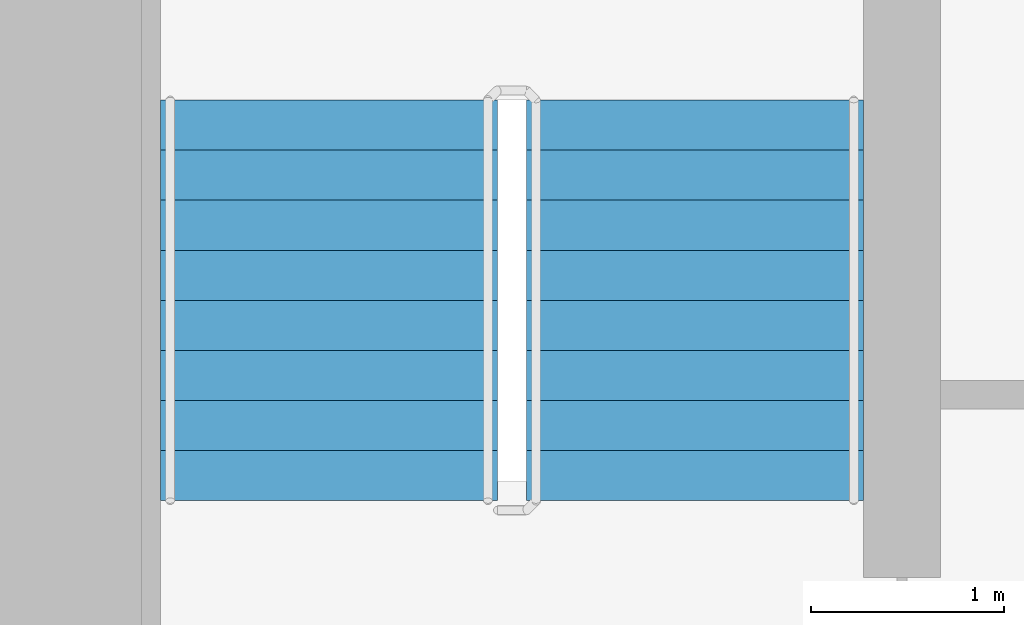
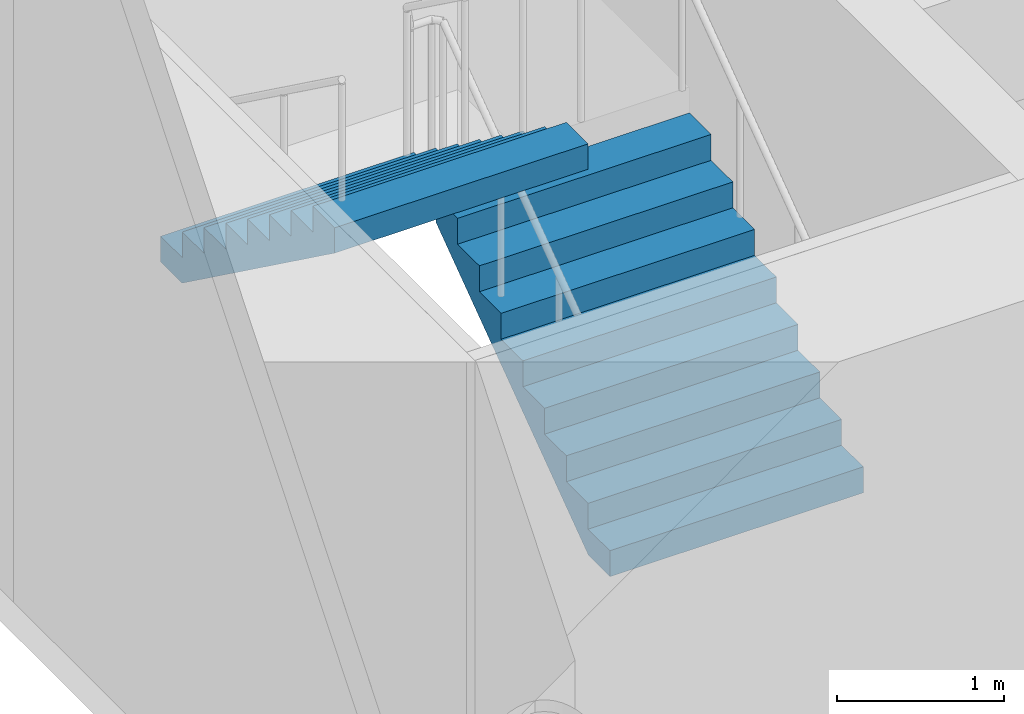
# One storey, part 21 of 24: 2 stair flights, 1 element without a shape of its own.
"""IFC4 building model written with IfcOpenShell, lengths in metres."""

from ifc_helpers import new_model, si_unit, direction, frame, origin, place, context, subcontext, project, spatial, faceted_brep, material, type_object, element, aggregate, save


model = new_model("IFC4")

# Units and contexts
model_context = context("Model", 3, precision=1e-05, world=origin(), true_north=direction((0.0, 1.0)))
body_context = subcontext(model_context, "Body", "Model", "MODEL_VIEW")
ifc_project = project(units=[si_unit("LENGTHUNIT", "METRE"), si_unit("AREAUNIT", "SQUARE_METRE"), si_unit("VOLUMEUNIT", "CUBIC_METRE"), si_unit("PLANEANGLEUNIT", "RADIAN"), si_unit("MASSUNIT", "GRAM", prefix="KILO")], contexts=[model_context])

# Site, building, storey
site_placement = place(None, origin())
site = spatial("IfcSite", under=ifc_project, at=site_placement, CompositionType="ELEMENT")
building_placement = place(site_placement, origin())
building = spatial("IfcBuilding", under=site, at=building_placement, Name="Ipe Terrace Towers", CompositionType="ELEMENT")
storey_placement = place(building_placement, frame((0.0, 0.0, 38.10009765625)))
storey = spatial("IfcBuildingStorey", under=building, at=storey_placement, Name="L09", CompositionType="ELEMENT", Elevation=38.10009765625)

# Stair, stair flights
ifc_material_1 = material(Name="Concrete C30/37", Category="concrete")
stair_type = type_object("IfcStairType", Name="Protected exit stair", PredefinedType="HALF_TURN_STAIR", material=ifc_material_1)
stair_placement = place(storey_placement, origin())
stair = element("IfcStair", 1, at=stair_placement, inside=storey, type_object=stair_type, Name="L09 Exit stair T2-C1", PredefinedType="HALF_TURN_STAIR")
ifc_material_2 = material(Name="Concrete C30/37", Category="concrete")
stair_flight_type = type_object("IfcStairFlightType", Name="Exit stair flight 1750", PredefinedType="STRAIGHT", material=ifc_material_2)
stair_flight_1_placement = place(storey_placement, frame((33.22509765625, 9.699951171875, 0.0), z_axis=(0.0, 0.0, 1.0), x_axis=(0.0, 1.0, 0.0)))
stair_flight_1 = element("IfcStairFlight", 2, at=stair_flight_1_placement, type_object=stair_flight_type, Name="T2-ST1 flight 1", NumberOfRisers=9, NumberOfTreads=8, PredefinedType="STRAIGHT", RiserHeight=0.188888889, TreadLength=0.26, context=body_context, shape_type="Brep", body=[
    faceted_brep([(0.255126953125, -0.875, 0.0), (2.080078125, -0.875, 1.325927734375), (2.080078125, -0.875, 1.51123046875), (1.820068359375, -0.875, 1.51123046875), (1.820068359375, -0.875, 1.322265625), (1.56005859375, -0.875, 1.322265625), (1.56005859375, -0.875, 1.13330078125), (1.300048828125, -0.875, 1.13330078125), (1.300048828125, -0.875, 0.9443359375), (1.0400390625, -0.875, 0.9443359375), (1.0400390625, -0.875, 0.755615234375), (0.780029296875, -0.875, 0.755615234375), (0.780029296875, -0.875, 0.566650390625), (0.52001953125, -0.875, 0.566650390625), (0.52001953125, -0.875, 0.377685546875), (0.260009765625, -0.875, 0.377685546875), (0.260009765625, -0.875, 0.18896484375), (0.0, -0.875, 0.18896484375), (0.0, -0.875, 0.0), (0.0, 0.875, 0.0), (0.0, 0.875, 0.18896484375), (0.260009765625, 0.875, 0.18896484375), (0.260009765625, 0.875, 0.377685546875), (0.52001953125, 0.875, 0.377685546875), (0.52001953125, 0.875, 0.566650390625), (0.780029296875, 0.875, 0.566650390625), (0.780029296875, 0.875, 0.755615234375), (1.0400390625, 0.875, 0.755615234375), (1.0400390625, 0.875, 0.9443359375), (1.300048828125, 0.875, 0.9443359375), (1.300048828125, 0.875, 1.13330078125), (1.56005859375, 0.875, 1.13330078125), (1.56005859375, 0.875, 1.322265625), (1.820068359375, 0.875, 1.322265625), (1.820068359375, 0.875, 1.51123046875), (2.080078125, 0.875, 1.51123046875), (2.080078125, 0.875, 1.325927734375), (0.255126953125, 0.875, 0.0), (0.0, -0.300048828125, 0.18896484375), (0.0, -0.1201171875, 0.18896484375), (0.0, -0.06005859375, 0.18896484375), (0.0, -0.030029296875, 0.18896484375), (0.0, -0.010009765625, 0.18896484375), (0.0, 0.0, 0.18896484375), (0.0, 0.010009765625, 0.18896484375), (0.0, 0.030029296875, 0.18896484375), (0.0, 0.06005859375, 0.18896484375), (0.0, 0.1201171875, 0.18896484375), (0.0, 0.300048828125, 0.18896484375), (0.0, 0.300048828125, 0.0), (0.0, 0.1201171875, 0.0), (0.0, 0.06005859375, 0.0), (0.0, 0.030029296875, 0.0), (0.0, 0.010009765625, 0.0), (0.0, 0.0, 0.0), (0.0, -0.010009765625, 0.0), (0.0, -0.030029296875, 0.0), (0.0, -0.06005859375, 0.0), (0.0, -0.1201171875, 0.0), (0.0, -0.300048828125, 0.0), (0.260009765625, -0.300048828125, 0.18896484375), (0.260009765625, -0.1201171875, 0.18896484375), (0.260009765625, -0.06005859375, 0.18896484375), (0.260009765625, -0.030029296875, 0.18896484375), (0.260009765625, -0.010009765625, 0.18896484375), (0.260009765625, 0.0, 0.18896484375), (0.260009765625, 0.010009765625, 0.18896484375), (0.260009765625, 0.030029296875, 0.18896484375), (0.260009765625, 0.06005859375, 0.18896484375), (0.260009765625, 0.1201171875, 0.18896484375), (0.260009765625, 0.300048828125, 0.18896484375), (0.260009765625, -0.300048828125, 0.377685546875), (0.260009765625, -0.1201171875, 0.377685546875), (0.260009765625, -0.06005859375, 0.377685546875), (0.260009765625, -0.030029296875, 0.377685546875), (0.260009765625, -0.010009765625, 0.377685546875), (0.260009765625, 0.0, 0.377685546875), (0.260009765625, 0.010009765625, 0.377685546875), (0.260009765625, 0.030029296875, 0.377685546875), (0.260009765625, 0.06005859375, 0.377685546875), (0.260009765625, 0.1201171875, 0.377685546875), (0.260009765625, 0.300048828125, 0.377685546875), (0.52001953125, -0.300048828125, 0.377685546875), (0.52001953125, -0.1201171875, 0.377685546875), (0.52001953125, -0.06005859375, 0.377685546875), (0.52001953125, -0.030029296875, 0.377685546875), (0.52001953125, -0.010009765625, 0.377685546875), (0.52001953125, 0.0, 0.377685546875), (0.52001953125, 0.010009765625, 0.377685546875), (0.52001953125, 0.030029296875, 0.377685546875), (0.52001953125, 0.06005859375, 0.377685546875), (0.52001953125, 0.1201171875, 0.377685546875), (0.52001953125, 0.300048828125, 0.377685546875), (0.52001953125, -0.300048828125, 0.566650390625), (0.52001953125, -0.1201171875, 0.566650390625), (0.52001953125, -0.06005859375, 0.566650390625), (0.52001953125, -0.030029296875, 0.566650390625), (0.52001953125, -0.010009765625, 0.566650390625), (0.52001953125, 0.0, 0.566650390625), (0.52001953125, 0.010009765625, 0.566650390625), (0.52001953125, 0.030029296875, 0.566650390625), (0.52001953125, 0.06005859375, 0.566650390625), (0.52001953125, 0.1201171875, 0.566650390625), (0.52001953125, 0.300048828125, 0.566650390625), (0.780029296875, -0.300048828125, 0.566650390625), (0.780029296875, -0.1201171875, 0.566650390625), (0.780029296875, -0.06005859375, 0.566650390625), (0.780029296875, -0.030029296875, 0.566650390625), (0.780029296875, -0.010009765625, 0.566650390625), (0.780029296875, 0.0, 0.566650390625), (0.780029296875, 0.010009765625, 0.566650390625), (0.780029296875, 0.030029296875, 0.566650390625), (0.780029296875, 0.06005859375, 0.566650390625), (0.780029296875, 0.1201171875, 0.566650390625), (0.780029296875, 0.300048828125, 0.566650390625), (0.780029296875, -0.300048828125, 0.755615234375), (0.780029296875, -0.1201171875, 0.755615234375), (0.780029296875, -0.06005859375, 0.755615234375), (0.780029296875, -0.030029296875, 0.755615234375), (0.780029296875, -0.010009765625, 0.755615234375), (0.780029296875, 0.0, 0.755615234375), (0.780029296875, 0.010009765625, 0.755615234375), (0.780029296875, 0.030029296875, 0.755615234375), (0.780029296875, 0.06005859375, 0.755615234375), (0.780029296875, 0.1201171875, 0.755615234375), (0.780029296875, 0.300048828125, 0.755615234375), (1.0400390625, -0.300048828125, 0.755615234375), (1.0400390625, -0.1201171875, 0.755615234375), (1.0400390625, -0.06005859375, 0.755615234375), (1.0400390625, -0.030029296875, 0.755615234375), (1.0400390625, -0.010009765625, 0.755615234375), (1.0400390625, 0.0, 0.755615234375), (1.0400390625, 0.010009765625, 0.755615234375), (1.0400390625, 0.030029296875, 0.755615234375), (1.0400390625, 0.06005859375, 0.755615234375), (1.0400390625, 0.1201171875, 0.755615234375), (1.0400390625, 0.300048828125, 0.755615234375), (1.0400390625, -0.300048828125, 0.9443359375), (1.0400390625, -0.1201171875, 0.9443359375), (1.0400390625, -0.06005859375, 0.9443359375), (1.0400390625, -0.030029296875, 0.9443359375), (1.0400390625, -0.010009765625, 0.9443359375), (1.0400390625, 0.0, 0.9443359375), (1.0400390625, 0.010009765625, 0.9443359375), (1.0400390625, 0.030029296875, 0.9443359375), (1.0400390625, 0.06005859375, 0.9443359375), (1.0400390625, 0.1201171875, 0.9443359375), (1.0400390625, 0.300048828125, 0.9443359375), (1.300048828125, -0.300048828125, 0.9443359375), (1.300048828125, -0.1201171875, 0.9443359375), (1.300048828125, -0.06005859375, 0.9443359375), (1.300048828125, -0.030029296875, 0.9443359375), (1.300048828125, -0.010009765625, 0.9443359375), (1.300048828125, 0.0, 0.9443359375), (1.300048828125, 0.010009765625, 0.9443359375), (1.300048828125, 0.030029296875, 0.9443359375), (1.300048828125, 0.06005859375, 0.9443359375), (1.300048828125, 0.1201171875, 0.9443359375), (1.300048828125, 0.300048828125, 0.9443359375), (1.300048828125, -0.300048828125, 1.13330078125), (1.300048828125, -0.1201171875, 1.13330078125), (1.300048828125, -0.06005859375, 1.13330078125), (1.300048828125, -0.030029296875, 1.13330078125), (1.300048828125, -0.010009765625, 1.13330078125), (1.300048828125, 0.0, 1.13330078125), (1.300048828125, 0.010009765625, 1.13330078125), (1.300048828125, 0.030029296875, 1.13330078125), (1.300048828125, 0.06005859375, 1.13330078125), (1.300048828125, 0.1201171875, 1.13330078125), (1.300048828125, 0.300048828125, 1.13330078125), (1.56005859375, -0.300048828125, 1.13330078125), (1.56005859375, -0.1201171875, 1.13330078125), (1.56005859375, -0.06005859375, 1.13330078125), (1.56005859375, -0.030029296875, 1.13330078125), (1.56005859375, -0.010009765625, 1.13330078125), (1.56005859375, 0.0, 1.13330078125), (1.56005859375, 0.010009765625, 1.13330078125), (1.56005859375, 0.030029296875, 1.13330078125), (1.56005859375, 0.06005859375, 1.13330078125), (1.56005859375, 0.1201171875, 1.13330078125), (1.56005859375, 0.300048828125, 1.13330078125), (1.56005859375, -0.300048828125, 1.322265625), (1.56005859375, -0.1201171875, 1.322265625), (1.56005859375, -0.06005859375, 1.322265625), (1.56005859375, -0.030029296875, 1.322265625), (1.56005859375, -0.010009765625, 1.322265625), (1.56005859375, 0.0, 1.322265625), (1.56005859375, 0.010009765625, 1.322265625), (1.56005859375, 0.030029296875, 1.322265625), (1.56005859375, 0.06005859375, 1.322265625), (1.56005859375, 0.1201171875, 1.322265625), (1.56005859375, 0.300048828125, 1.322265625), (1.820068359375, -0.300048828125, 1.322265625), (1.820068359375, -0.1201171875, 1.322265625), (1.820068359375, -0.06005859375, 1.322265625), (1.820068359375, -0.030029296875, 1.322265625), (1.820068359375, -0.010009765625, 1.322265625), (1.820068359375, 0.0, 1.322265625), (1.820068359375, 0.010009765625, 1.322265625), (1.820068359375, 0.030029296875, 1.322265625), (1.820068359375, 0.06005859375, 1.322265625), (1.820068359375, 0.1201171875, 1.322265625), (1.820068359375, 0.300048828125, 1.322265625), (1.820068359375, -0.300048828125, 1.51123046875), (1.820068359375, -0.1201171875, 1.51123046875), (1.820068359375, -0.06005859375, 1.51123046875), (1.820068359375, -0.030029296875, 1.51123046875), (1.820068359375, -0.010009765625, 1.51123046875), (1.820068359375, 0.0, 1.51123046875), (1.820068359375, 0.010009765625, 1.51123046875), (1.820068359375, 0.030029296875, 1.51123046875), (1.820068359375, 0.06005859375, 1.51123046875), (1.820068359375, 0.1201171875, 1.51123046875), (1.820068359375, 0.300048828125, 1.51123046875), (2.080078125, -0.300048828125, 1.51123046875), (2.080078125, -0.1201171875, 1.51123046875), (2.080078125, -0.06005859375, 1.51123046875), (2.080078125, -0.030029296875, 1.51123046875), (2.080078125, -0.010009765625, 1.51123046875), (2.080078125, 0.0, 1.51123046875), (2.080078125, 0.010009765625, 1.51123046875), (2.080078125, 0.030029296875, 1.51123046875), (2.080078125, 0.06005859375, 1.51123046875), (2.080078125, 0.1201171875, 1.51123046875), (2.080078125, 0.300048828125, 1.51123046875), (2.080078125, -0.300048828125, 1.325927734375), (2.080078125, -0.1201171875, 1.325927734375), (2.080078125, -0.06005859375, 1.325927734375), (2.080078125, -0.030029296875, 1.325927734375), (2.080078125, -0.010009765625, 1.325927734375), (2.080078125, 0.0, 1.325927734375), (2.080078125, 0.010009765625, 1.325927734375), (2.080078125, 0.030029296875, 1.325927734375), (2.080078125, 0.06005859375, 1.325927734375), (2.080078125, 0.1201171875, 1.325927734375), (2.080078125, 0.300048828125, 1.325927734375), (0.255126953125, -0.300048828125, 0.0), (0.255126953125, -0.1201171875, 0.0), (0.255126953125, -0.06005859375, 0.0), (0.255126953125, -0.030029296875, 0.0), (0.255126953125, -0.010009765625, 0.0), (0.255126953125, 0.0, 0.0), (0.255126953125, 0.010009765625, 0.0), (0.255126953125, 0.030029296875, 0.0), (0.255126953125, 0.06005859375, 0.0), (0.255126953125, 0.1201171875, 0.0), (0.255126953125, 0.300048828125, 0.0)], [[[0, 1, 2, 3, 4, 5, 6, 7, 8, 9, 10, 11, 12, 13, 14, 15, 16, 17, 18]], [[19, 20, 21, 22, 23, 24, 25, 26, 27, 28, 29, 30, 31, 32, 33, 34, 35, 36, 37]], [[17, 38, 39, 40, 41, 42, 43, 44, 45, 46, 47, 48, 20, 19, 49, 50, 51, 52, 53, 54, 55, 56, 57, 58, 59, 18]], [[16, 60, 61, 62, 63, 64, 65, 66, 67, 68, 69, 70, 21, 20, 48, 47, 46, 45, 44, 43, 42, 41, 40, 39, 38, 17]], [[15, 71, 72, 73, 74, 75, 76, 77, 78, 79, 80, 81, 22, 21, 70, 69, 68, 67, 66, 65, 64, 63, 62, 61, 60, 16]], [[14, 82, 83, 84, 85, 86, 87, 88, 89, 90, 91, 92, 23, 22, 81, 80, 79, 78, 77, 76, 75, 74, 73, 72, 71, 15]], [[13, 93, 94, 95, 96, 97, 98, 99, 100, 101, 102, 103, 24, 23, 92, 91, 90, 89, 88, 87, 86, 85, 84, 83, 82, 14]], [[12, 104, 105, 106, 107, 108, 109, 110, 111, 112, 113, 114, 25, 24, 103, 102, 101, 100, 99, 98, 97, 96, 95, 94, 93, 13]], [[11, 115, 116, 117, 118, 119, 120, 121, 122, 123, 124, 125, 26, 25, 114, 113, 112, 111, 110, 109, 108, 107, 106, 105, 104, 12]], [[10, 126, 127, 128, 129, 130, 131, 132, 133, 134, 135, 136, 27, 26, 125, 124, 123, 122, 121, 120, 119, 118, 117, 116, 115, 11]], [[9, 137, 138, 139, 140, 141, 142, 143, 144, 145, 146, 147, 28, 27, 136, 135, 134, 133, 132, 131, 130, 129, 128, 127, 126, 10]], [[8, 148, 149, 150, 151, 152, 153, 154, 155, 156, 157, 158, 29, 28, 147, 146, 145, 144, 143, 142, 141, 140, 139, 138, 137, 9]], [[7, 159, 160, 161, 162, 163, 164, 165, 166, 167, 168, 169, 30, 29, 158, 157, 156, 155, 154, 153, 152, 151, 150, 149, 148, 8]], [[6, 170, 171, 172, 173, 174, 175, 176, 177, 178, 179, 180, 31, 30, 169, 168, 167, 166, 165, 164, 163, 162, 161, 160, 159, 7]], [[5, 181, 182, 183, 184, 185, 186, 187, 188, 189, 190, 191, 32, 31, 180, 179, 178, 177, 176, 175, 174, 173, 172, 171, 170, 6]], [[4, 192, 193, 194, 195, 196, 197, 198, 199, 200, 201, 202, 33, 32, 191, 190, 189, 188, 187, 186, 185, 184, 183, 182, 181, 5]], [[3, 203, 204, 205, 206, 207, 208, 209, 210, 211, 212, 213, 34, 33, 202, 201, 200, 199, 198, 197, 196, 195, 194, 193, 192, 4]], [[2, 214, 215, 216, 217, 218, 219, 220, 221, 222, 223, 224, 35, 34, 213, 212, 211, 210, 209, 208, 207, 206, 205, 204, 203, 3]], [[1, 225, 226, 227, 228, 229, 230, 231, 232, 233, 234, 235, 36, 35, 224, 223, 222, 221, 220, 219, 218, 217, 216, 215, 214, 2]], [[0, 236, 237, 238, 239, 240, 241, 242, 243, 244, 245, 246, 37, 36, 235, 234, 233, 232, 231, 230, 229, 228, 227, 226, 225, 1]], [[18, 59, 58, 57, 56, 55, 54, 53, 52, 51, 50, 49, 19, 37, 246, 245, 244, 243, 242, 241, 240, 239, 238, 237, 236, 0]]]),
])
stair_flight_2_placement = place(storey_placement, frame((31.324951171875, 11.780029296875, 1.699951171875), z_axis=(0.0, 0.0, 1.0), x_axis=(0.0, -1.0, 0.0)))
stair_flight_2 = element("IfcStairFlight", 3, at=stair_flight_2_placement, type_object=stair_flight_type, Name="T2-ST1 flight 2", NumberOfRisers=9, NumberOfTreads=8, PredefinedType="STRAIGHT", RiserHeight=0.188888889, TreadLength=0.26, context=body_context, shape_type="Brep", body=[
    faceted_brep([(0.255126953125, -0.875, 0.0), (2.080078125, -0.875, 1.325927734375), (2.080078125, -0.875, 1.51123046875), (1.820068359375, -0.875, 1.51123046875), (1.820068359375, -0.875, 1.322265625), (1.56005859375, -0.875, 1.322265625), (1.56005859375, -0.875, 1.13330078125), (1.300048828125, -0.875, 1.13330078125), (1.300048828125, -0.875, 0.9443359375), (1.0400390625, -0.875, 0.9443359375), (1.0400390625, -0.875, 0.755615234375), (0.780029296875, -0.875, 0.755615234375), (0.780029296875, -0.875, 0.566650390625), (0.52001953125, -0.875, 0.566650390625), (0.52001953125, -0.875, 0.377685546875), (0.260009765625, -0.875, 0.377685546875), (0.260009765625, -0.875, 0.18896484375), (0.0, -0.875, 0.18896484375), (0.0, -0.875, 0.0), (0.0, 0.875, 0.0), (0.0, 0.875, 0.18896484375), (0.260009765625, 0.875, 0.18896484375), (0.260009765625, 0.875, 0.377685546875), (0.52001953125, 0.875, 0.377685546875), (0.52001953125, 0.875, 0.566650390625), (0.780029296875, 0.875, 0.566650390625), (0.780029296875, 0.875, 0.755615234375), (1.0400390625, 0.875, 0.755615234375), (1.0400390625, 0.875, 0.9443359375), (1.300048828125, 0.875, 0.9443359375), (1.300048828125, 0.875, 1.13330078125), (1.56005859375, 0.875, 1.13330078125), (1.56005859375, 0.875, 1.322265625), (1.820068359375, 0.875, 1.322265625), (1.820068359375, 0.875, 1.51123046875), (2.080078125, 0.875, 1.51123046875), (2.080078125, 0.875, 1.325927734375), (0.255126953125, 0.875, 0.0), (0.0, -0.300048828125, 0.18896484375), (0.0, -0.1201171875, 0.18896484375), (0.0, -0.06005859375, 0.18896484375), (0.0, -0.030029296875, 0.18896484375), (0.0, -0.010009765625, 0.18896484375), (0.0, 0.0, 0.18896484375), (0.0, 0.010009765625, 0.18896484375), (0.0, 0.030029296875, 0.18896484375), (0.0, 0.06005859375, 0.18896484375), (0.0, 0.1201171875, 0.18896484375), (0.0, 0.300048828125, 0.18896484375), (0.0, 0.300048828125, 0.0), (0.0, 0.1201171875, 0.0), (0.0, 0.06005859375, 0.0), (0.0, 0.030029296875, 0.0), (0.0, 0.010009765625, 0.0), (0.0, 0.0, 0.0), (0.0, -0.010009765625, 0.0), (0.0, -0.030029296875, 0.0), (0.0, -0.06005859375, 0.0), (0.0, -0.1201171875, 0.0), (0.0, -0.300048828125, 0.0), (0.260009765625, -0.300048828125, 0.18896484375), (0.260009765625, -0.1201171875, 0.18896484375), (0.260009765625, -0.06005859375, 0.18896484375), (0.260009765625, -0.030029296875, 0.18896484375), (0.260009765625, -0.010009765625, 0.18896484375), (0.260009765625, 0.0, 0.18896484375), (0.260009765625, 0.010009765625, 0.18896484375), (0.260009765625, 0.030029296875, 0.18896484375), (0.260009765625, 0.06005859375, 0.18896484375), (0.260009765625, 0.1201171875, 0.18896484375), (0.260009765625, 0.300048828125, 0.18896484375), (0.260009765625, -0.300048828125, 0.377685546875), (0.260009765625, -0.1201171875, 0.377685546875), (0.260009765625, -0.06005859375, 0.377685546875), (0.260009765625, -0.030029296875, 0.377685546875), (0.260009765625, -0.010009765625, 0.377685546875), (0.260009765625, 0.0, 0.377685546875), (0.260009765625, 0.010009765625, 0.377685546875), (0.260009765625, 0.030029296875, 0.377685546875), (0.260009765625, 0.06005859375, 0.377685546875), (0.260009765625, 0.1201171875, 0.377685546875), (0.260009765625, 0.300048828125, 0.377685546875), (0.52001953125, -0.300048828125, 0.377685546875), (0.52001953125, -0.1201171875, 0.377685546875), (0.52001953125, -0.06005859375, 0.377685546875), (0.52001953125, -0.030029296875, 0.377685546875), (0.52001953125, -0.010009765625, 0.377685546875), (0.52001953125, 0.0, 0.377685546875), (0.52001953125, 0.010009765625, 0.377685546875), (0.52001953125, 0.030029296875, 0.377685546875), (0.52001953125, 0.06005859375, 0.377685546875), (0.52001953125, 0.1201171875, 0.377685546875), (0.52001953125, 0.300048828125, 0.377685546875), (0.52001953125, -0.300048828125, 0.566650390625), (0.52001953125, -0.1201171875, 0.566650390625), (0.52001953125, -0.06005859375, 0.566650390625), (0.52001953125, -0.030029296875, 0.566650390625), (0.52001953125, -0.010009765625, 0.566650390625), (0.52001953125, 0.0, 0.566650390625), (0.52001953125, 0.010009765625, 0.566650390625), (0.52001953125, 0.030029296875, 0.566650390625), (0.52001953125, 0.06005859375, 0.566650390625), (0.52001953125, 0.1201171875, 0.566650390625), (0.52001953125, 0.300048828125, 0.566650390625), (0.780029296875, -0.300048828125, 0.566650390625), (0.780029296875, -0.1201171875, 0.566650390625), (0.780029296875, -0.06005859375, 0.566650390625), (0.780029296875, -0.030029296875, 0.566650390625), (0.780029296875, -0.010009765625, 0.566650390625), (0.780029296875, 0.0, 0.566650390625), (0.780029296875, 0.010009765625, 0.566650390625), (0.780029296875, 0.030029296875, 0.566650390625), (0.780029296875, 0.06005859375, 0.566650390625), (0.780029296875, 0.1201171875, 0.566650390625), (0.780029296875, 0.300048828125, 0.566650390625), (0.780029296875, -0.300048828125, 0.755615234375), (0.780029296875, -0.1201171875, 0.755615234375), (0.780029296875, -0.06005859375, 0.755615234375), (0.780029296875, -0.030029296875, 0.755615234375), (0.780029296875, -0.010009765625, 0.755615234375), (0.780029296875, 0.0, 0.755615234375), (0.780029296875, 0.010009765625, 0.755615234375), (0.780029296875, 0.030029296875, 0.755615234375), (0.780029296875, 0.06005859375, 0.755615234375), (0.780029296875, 0.1201171875, 0.755615234375), (0.780029296875, 0.300048828125, 0.755615234375), (1.0400390625, -0.300048828125, 0.755615234375), (1.0400390625, -0.1201171875, 0.755615234375), (1.0400390625, -0.06005859375, 0.755615234375), (1.0400390625, -0.030029296875, 0.755615234375), (1.0400390625, -0.010009765625, 0.755615234375), (1.0400390625, 0.0, 0.755615234375), (1.0400390625, 0.010009765625, 0.755615234375), (1.0400390625, 0.030029296875, 0.755615234375), (1.0400390625, 0.06005859375, 0.755615234375), (1.0400390625, 0.1201171875, 0.755615234375), (1.0400390625, 0.300048828125, 0.755615234375), (1.0400390625, -0.300048828125, 0.9443359375), (1.0400390625, -0.1201171875, 0.9443359375), (1.0400390625, -0.06005859375, 0.9443359375), (1.0400390625, -0.030029296875, 0.9443359375), (1.0400390625, -0.010009765625, 0.9443359375), (1.0400390625, 0.0, 0.9443359375), (1.0400390625, 0.010009765625, 0.9443359375), (1.0400390625, 0.030029296875, 0.9443359375), (1.0400390625, 0.06005859375, 0.9443359375), (1.0400390625, 0.1201171875, 0.9443359375), (1.0400390625, 0.300048828125, 0.9443359375), (1.300048828125, -0.300048828125, 0.9443359375), (1.300048828125, -0.1201171875, 0.9443359375), (1.300048828125, -0.06005859375, 0.9443359375), (1.300048828125, -0.030029296875, 0.9443359375), (1.300048828125, -0.010009765625, 0.9443359375), (1.300048828125, 0.0, 0.9443359375), (1.300048828125, 0.010009765625, 0.9443359375), (1.300048828125, 0.030029296875, 0.9443359375), (1.300048828125, 0.06005859375, 0.9443359375), (1.300048828125, 0.1201171875, 0.9443359375), (1.300048828125, 0.300048828125, 0.9443359375), (1.300048828125, -0.300048828125, 1.13330078125), (1.300048828125, -0.1201171875, 1.13330078125), (1.300048828125, -0.06005859375, 1.13330078125), (1.300048828125, -0.030029296875, 1.13330078125), (1.300048828125, -0.010009765625, 1.13330078125), (1.300048828125, 0.0, 1.13330078125), (1.300048828125, 0.010009765625, 1.13330078125), (1.300048828125, 0.030029296875, 1.13330078125), (1.300048828125, 0.06005859375, 1.13330078125), (1.300048828125, 0.1201171875, 1.13330078125), (1.300048828125, 0.300048828125, 1.13330078125), (1.56005859375, -0.300048828125, 1.13330078125), (1.56005859375, -0.1201171875, 1.13330078125), (1.56005859375, -0.06005859375, 1.13330078125), (1.56005859375, -0.030029296875, 1.13330078125), (1.56005859375, -0.010009765625, 1.13330078125), (1.56005859375, 0.0, 1.13330078125), (1.56005859375, 0.010009765625, 1.13330078125), (1.56005859375, 0.030029296875, 1.13330078125), (1.56005859375, 0.06005859375, 1.13330078125), (1.56005859375, 0.1201171875, 1.13330078125), (1.56005859375, 0.300048828125, 1.13330078125), (1.56005859375, -0.300048828125, 1.322265625), (1.56005859375, -0.1201171875, 1.322265625), (1.56005859375, -0.06005859375, 1.322265625), (1.56005859375, -0.030029296875, 1.322265625), (1.56005859375, -0.010009765625, 1.322265625), (1.56005859375, 0.0, 1.322265625), (1.56005859375, 0.010009765625, 1.322265625), (1.56005859375, 0.030029296875, 1.322265625), (1.56005859375, 0.06005859375, 1.322265625), (1.56005859375, 0.1201171875, 1.322265625), (1.56005859375, 0.300048828125, 1.322265625), (1.820068359375, -0.300048828125, 1.322265625), (1.820068359375, -0.1201171875, 1.322265625), (1.820068359375, -0.06005859375, 1.322265625), (1.820068359375, -0.030029296875, 1.322265625), (1.820068359375, -0.010009765625, 1.322265625), (1.820068359375, 0.0, 1.322265625), (1.820068359375, 0.010009765625, 1.322265625), (1.820068359375, 0.030029296875, 1.322265625), (1.820068359375, 0.06005859375, 1.322265625), (1.820068359375, 0.1201171875, 1.322265625), (1.820068359375, 0.300048828125, 1.322265625), (1.820068359375, -0.300048828125, 1.51123046875), (1.820068359375, -0.1201171875, 1.51123046875), (1.820068359375, -0.06005859375, 1.51123046875), (1.820068359375, -0.030029296875, 1.51123046875), (1.820068359375, -0.010009765625, 1.51123046875), (1.820068359375, 0.0, 1.51123046875), (1.820068359375, 0.010009765625, 1.51123046875), (1.820068359375, 0.030029296875, 1.51123046875), (1.820068359375, 0.06005859375, 1.51123046875), (1.820068359375, 0.1201171875, 1.51123046875), (1.820068359375, 0.300048828125, 1.51123046875), (2.080078125, -0.300048828125, 1.51123046875), (2.080078125, -0.1201171875, 1.51123046875), (2.080078125, -0.06005859375, 1.51123046875), (2.080078125, -0.030029296875, 1.51123046875), (2.080078125, -0.010009765625, 1.51123046875), (2.080078125, 0.0, 1.51123046875), (2.080078125, 0.010009765625, 1.51123046875), (2.080078125, 0.030029296875, 1.51123046875), (2.080078125, 0.06005859375, 1.51123046875), (2.080078125, 0.1201171875, 1.51123046875), (2.080078125, 0.300048828125, 1.51123046875), (2.080078125, -0.300048828125, 1.325927734375), (2.080078125, -0.1201171875, 1.325927734375), (2.080078125, -0.06005859375, 1.325927734375), (2.080078125, -0.030029296875, 1.325927734375), (2.080078125, -0.010009765625, 1.325927734375), (2.080078125, 0.0, 1.325927734375), (2.080078125, 0.010009765625, 1.325927734375), (2.080078125, 0.030029296875, 1.325927734375), (2.080078125, 0.06005859375, 1.325927734375), (2.080078125, 0.1201171875, 1.325927734375), (2.080078125, 0.300048828125, 1.325927734375), (0.255126953125, -0.300048828125, 0.0), (0.255126953125, -0.1201171875, 0.0), (0.255126953125, -0.06005859375, 0.0), (0.255126953125, -0.030029296875, 0.0), (0.255126953125, -0.010009765625, 0.0), (0.255126953125, 0.0, 0.0), (0.255126953125, 0.010009765625, 0.0), (0.255126953125, 0.030029296875, 0.0), (0.255126953125, 0.06005859375, 0.0), (0.255126953125, 0.1201171875, 0.0), (0.255126953125, 0.300048828125, 0.0)], [[[0, 1, 2, 3, 4, 5, 6, 7, 8, 9, 10, 11, 12, 13, 14, 15, 16, 17, 18]], [[19, 20, 21, 22, 23, 24, 25, 26, 27, 28, 29, 30, 31, 32, 33, 34, 35, 36, 37]], [[17, 38, 39, 40, 41, 42, 43, 44, 45, 46, 47, 48, 20, 19, 49, 50, 51, 52, 53, 54, 55, 56, 57, 58, 59, 18]], [[16, 60, 61, 62, 63, 64, 65, 66, 67, 68, 69, 70, 21, 20, 48, 47, 46, 45, 44, 43, 42, 41, 40, 39, 38, 17]], [[15, 71, 72, 73, 74, 75, 76, 77, 78, 79, 80, 81, 22, 21, 70, 69, 68, 67, 66, 65, 64, 63, 62, 61, 60, 16]], [[14, 82, 83, 84, 85, 86, 87, 88, 89, 90, 91, 92, 23, 22, 81, 80, 79, 78, 77, 76, 75, 74, 73, 72, 71, 15]], [[13, 93, 94, 95, 96, 97, 98, 99, 100, 101, 102, 103, 24, 23, 92, 91, 90, 89, 88, 87, 86, 85, 84, 83, 82, 14]], [[12, 104, 105, 106, 107, 108, 109, 110, 111, 112, 113, 114, 25, 24, 103, 102, 101, 100, 99, 98, 97, 96, 95, 94, 93, 13]], [[11, 115, 116, 117, 118, 119, 120, 121, 122, 123, 124, 125, 26, 25, 114, 113, 112, 111, 110, 109, 108, 107, 106, 105, 104, 12]], [[10, 126, 127, 128, 129, 130, 131, 132, 133, 134, 135, 136, 27, 26, 125, 124, 123, 122, 121, 120, 119, 118, 117, 116, 115, 11]], [[9, 137, 138, 139, 140, 141, 142, 143, 144, 145, 146, 147, 28, 27, 136, 135, 134, 133, 132, 131, 130, 129, 128, 127, 126, 10]], [[8, 148, 149, 150, 151, 152, 153, 154, 155, 156, 157, 158, 29, 28, 147, 146, 145, 144, 143, 142, 141, 140, 139, 138, 137, 9]], [[7, 159, 160, 161, 162, 163, 164, 165, 166, 167, 168, 169, 30, 29, 158, 157, 156, 155, 154, 153, 152, 151, 150, 149, 148, 8]], [[6, 170, 171, 172, 173, 174, 175, 176, 177, 178, 179, 180, 31, 30, 169, 168, 167, 166, 165, 164, 163, 162, 161, 160, 159, 7]], [[5, 181, 182, 183, 184, 185, 186, 187, 188, 189, 190, 191, 32, 31, 180, 179, 178, 177, 176, 175, 174, 173, 172, 171, 170, 6]], [[4, 192, 193, 194, 195, 196, 197, 198, 199, 200, 201, 202, 33, 32, 191, 190, 189, 188, 187, 186, 185, 184, 183, 182, 181, 5]], [[3, 203, 204, 205, 206, 207, 208, 209, 210, 211, 212, 213, 34, 33, 202, 201, 200, 199, 198, 197, 196, 195, 194, 193, 192, 4]], [[2, 214, 215, 216, 217, 218, 219, 220, 221, 222, 223, 224, 35, 34, 213, 212, 211, 210, 209, 208, 207, 206, 205, 204, 203, 3]], [[1, 225, 226, 227, 228, 229, 230, 231, 232, 233, 234, 235, 36, 35, 224, 223, 222, 221, 220, 219, 218, 217, 216, 215, 214, 2]], [[0, 236, 237, 238, 239, 240, 241, 242, 243, 244, 245, 246, 37, 36, 235, 234, 233, 232, 231, 230, 229, 228, 227, 226, 225, 1]], [[18, 59, 58, 57, 56, 55, 54, 53, 52, 51, 50, 49, 19, 37, 246, 245, 244, 243, 242, 241, 240, 239, 238, 237, 236, 0]]]),
])
aggregate(stair, [stair_flight_1, stair_flight_2])

save(model, "model.ifc")
